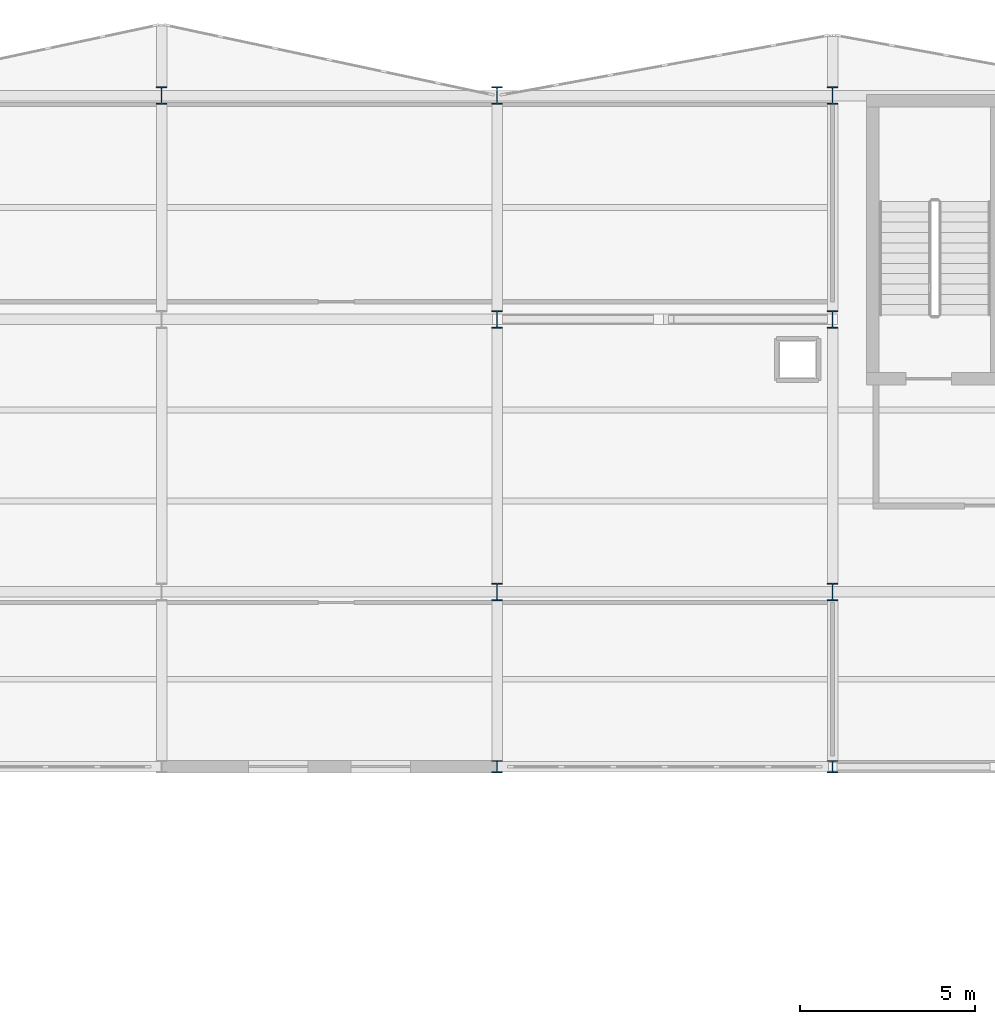
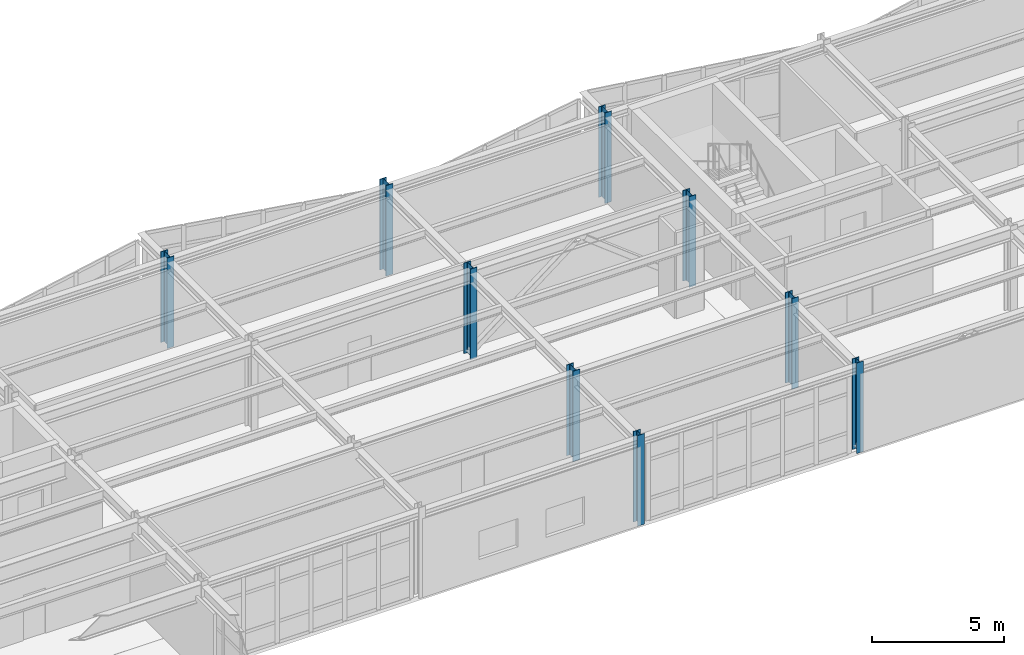
# One storey, part 7 of 64: 9 columns.
"""IFC4 building model written with IfcOpenShell, lengths in metres."""

import ifcopenshell
import ifcopenshell.guid

model = None  # the IFC model being written
_history = None  # IfcOwnerHistory: only IFC2X3 demands one
_inside = {}  # id of a spatial element -> (the spatial element, [elements in it])
_under = {}  # id of a project, library or spatial element -> (it, [spatial elements below it])
_declared = {}  # id of a project -> (the project, [libraries it declares])
_typed = {}  # id of a type object -> (the type object, [elements of that type])
_made_of = {}  # id of a material, layer set ... -> (it, [elements and type objects made of it])


def new_model(schema):
    """Start an empty IFC model of exactly this schema.

    Asked for "IFC4X3", IfcOpenShell would pick the latest addendum, in which some entities
    have other attributes; the version numbers below select the first issue.
    IFC2X3 requires an IfcOwnerHistory on every rooted entity: one is made here for all.
    """
    global model, _history
    if schema == "IFC4X3":
        model = ifcopenshell.file(schema_version=(4, 3, 0, 0))
    else:
        model = ifcopenshell.file(schema=schema)
    _inside.clear()
    _under.clear()
    _declared.clear()
    _typed.clear()
    _made_of.clear()
    _history = None
    if model.schema == "IFC2X3":
        org = make("IfcOrganization", Name="unknown")
        user = make(
            "IfcPersonAndOrganization",
            ThePerson=make("IfcPerson", FamilyName="unknown"),
            TheOrganization=org,
        )
        app = make(
            "IfcApplication",
            ApplicationDeveloper=org,
            Version="unknown",
            ApplicationFullName="unknown",
            ApplicationIdentifier="unknown",
        )
        _history = make(
            "IfcOwnerHistory",
            OwningUser=user,
            OwningApplication=app,
            ChangeAction="ADDED",
            CreationDate=0,
        )
    return model


def make(cls, **values):
    """One entity of the class cls with the attributes given. An attribute that is None is left unset."""
    return model.create_entity(
        cls, **{name: value for name, value in values.items() if value is not None}
    )


def rooted(cls, **values):
    """An entity with a GlobalId (a new one), such as an element, a storey or a relation."""
    return make(cls, GlobalId=ifcopenshell.guid.new(), OwnerHistory=_history, **values)


def si_unit(unit_type, name, prefix=None):
    """IfcSIUnit, for example si_unit("LENGTHUNIT", "METRE", prefix="MILLI")."""
    return make("IfcSIUnit", UnitType=unit_type, Prefix=prefix, Name=name)


def assignment(units):
    """IfcUnitAssignment: the units of a project."""
    return None if units is None else make("IfcUnitAssignment", Units=units)


def point(xyz):
    """IfcCartesianPoint."""
    return None if xyz is None else make("IfcCartesianPoint", Coordinates=xyz)


def direction(xyz):
    """IfcDirection."""
    return None if xyz is None else make("IfcDirection", DirectionRatios=xyz)


def frame(location, z_axis=None, x_axis=None):
    """IfcAxis2Placement3D, a coordinate frame: its origin and axes. An axis left out is left unset."""
    return make(
        "IfcAxis2Placement3D",
        Location=point(location),
        Axis=direction(z_axis),
        RefDirection=direction(x_axis),
    )


def frame_2d(location, x_axis=None):
    """IfcAxis2Placement2D, a coordinate frame in the plane: its origin and x axis."""
    return make(
        "IfcAxis2Placement2D", Location=point(location), RefDirection=direction(x_axis)
    )


def origin():
    """The frame at (0, 0, 0) with its axes left unset."""
    return frame((0.0, 0.0, 0.0))


def origin_2d():
    """The frame at (0, 0) in the plane with its x axis left unset."""
    return frame_2d((0.0, 0.0))


def place(relative_to, where):
    """IfcLocalPlacement: puts the frame where relative to a parent placement (None: the world)."""
    return make(
        "IfcLocalPlacement", PlacementRelTo=relative_to, RelativePlacement=where
    )


def context(
    kind, dimensions, precision=None, world=None, true_north=None, identifier=None
):
    """IfcGeometricRepresentationContext, for example the 3D "Model" context."""
    return make(
        "IfcGeometricRepresentationContext",
        ContextIdentifier=identifier,
        ContextType=kind,
        CoordinateSpaceDimension=dimensions,
        Precision=precision,
        WorldCoordinateSystem=world,
        TrueNorth=true_north,
    )


def subcontext(parent, identifier, kind, view, scale=None):
    """IfcGeometricRepresentationSubContext, for example "Body" below "Model"."""
    return make(
        "IfcGeometricRepresentationSubContext",
        ContextIdentifier=identifier,
        ContextType=kind,
        ParentContext=parent,
        TargetScale=scale,
        TargetView=view,
    )


def project(units=None, contexts=None):
    """IfcProject with its units and contexts."""
    return rooted(
        "IfcProject",
        Name="project",
        RepresentationContexts=contexts,
        UnitsInContext=assignment(units),
    )


def spatial(cls, under=None, at=None, **own):
    """A site, building, storey or space (cls), placed at a placement, below another one or the project."""
    s = rooted(cls, ObjectPlacement=at, **own)
    if under is not None:
        _under.setdefault(under.id(), (under, []))[1].append(s)
    return s


def profile(cls, at=None, kind="AREA", **sizes):
    """A parametric profile (cls). Its sizes go by their IFC names, for example OverallWidth=200.0."""
    return make(cls, ProfileType=kind, Position=at, **sizes)


def i_section(**sizes):
    """IfcIShapeProfileDef."""
    return profile("IfcIShapeProfileDef", **sizes)


def extrude(swept, where, along, depth):
    """IfcExtrudedAreaSolid: the profile swept, set in the frame where, extruded along a direction by depth."""
    return make(
        "IfcExtrudedAreaSolid",
        SweptArea=swept,
        Position=where,
        ExtrudedDirection=direction(along),
        Depth=depth,
    )


def shape(context_of_items, identifier, shape_type, items):
    """IfcShapeRepresentation: the items that make up one representation, for example the "Body"."""
    return make(
        "IfcShapeRepresentation",
        ContextOfItems=context_of_items,
        RepresentationIdentifier=identifier,
        RepresentationType=shape_type,
        Items=items,
    )


def material(Name=None, Category=None):
    """IfcMaterial."""
    return make("IfcMaterial", Name=Name, Category=Category)


def material_profile(
    of_material, cross_section, Name=None, Category=None, Priority=None
):
    """IfcMaterialProfile: a cross section and its material."""
    return make(
        "IfcMaterialProfile",
        Name=Name,
        Material=of_material,
        Profile=cross_section,
        Priority=Priority,
        Category=Category,
    )


def profile_set(profiles, Name=None, composite=None):
    """IfcMaterialProfileSet."""
    return make(
        "IfcMaterialProfileSet",
        Name=Name,
        MaterialProfiles=profiles,
        CompositeProfile=composite,
    )


def made_of(thing, what):
    """Note that an element or type object is made of a material, layer set ...; save() writes the relation."""
    if what is not None:
        _made_of.setdefault(what.id(), (what, []))[1].append(thing)
    return thing


def type_object(cls, material=None, **own):
    """A type object (cls), such as IfcWallType, which elements share."""
    return made_of(rooted(cls, **own), material)


def element(
    cls,
    number,
    at=None,
    inside=None,
    cuts=None,
    type_object=None,
    material=None,
    context=None,
    identifier="Body",
    shape_type=None,
    held_by="IfcProductDefinitionShape",
    body=None,
    shapes=None,
    **own,
):
    """One element of the class cls, such as IfcWall. Its Tag is "e" and its number.

    at: its placement. inside: the storey or other place that contains it. cuts: it is an
    opening in that element (IfcRelVoidsElement). A single representation is given by context,
    identifier, shape_type and body (its items); several are given by shapes. held_by: the class
    of the entity that holds the representations. save() writes the other relations.
    """
    e = rooted(cls, Tag="e%d" % number, ObjectPlacement=at, **own)
    if body is not None:
        shapes = [shape(context, identifier, shape_type, body)]
    if shapes is not None:
        e.Representation = make(held_by, Representations=shapes)
    if inside is not None:
        _inside.setdefault(inside.id(), (inside, []))[1].append(e)
    if cuts is not None:
        rooted(
            "IfcRelVoidsElement", RelatingBuildingElement=cuts, RelatedOpeningElement=e
        )
    if type_object is not None:
        _typed.setdefault(type_object.id(), (type_object, []))[1].append(e)
    return made_of(e, material)


def aggregate(whole, parts):
    """IfcRelAggregates: a whole, such as a stair, and the parts it consists of."""
    return rooted("IfcRelAggregates", RelatingObject=whole, RelatedObjects=parts)


def save(model, path):
    """Write the relations noted so far, then the file.

    IfcRelAggregates (storeys below a building ...), IfcRelContainedInSpatialStructure (elements
    in a storey), IfcRelDefinesByType, IfcRelAssociatesMaterial and IfcRelDeclares: one each for
    every whole, place, type object, material and project.
    """
    for whole, parts in _under.values():
        aggregate(whole, parts)
    for where, things in _inside.values():
        rooted(
            "IfcRelContainedInSpatialStructure",
            RelatedElements=things,
            RelatingStructure=where,
        )
    for kind, things in _typed.values():
        rooted("IfcRelDefinesByType", RelatedObjects=things, RelatingType=kind)
    for what, things in _made_of.values():
        rooted("IfcRelAssociatesMaterial", RelatedObjects=things, RelatingMaterial=what)
    for by, libraries in _declared.values():
        rooted("IfcRelDeclares", RelatingContext=by, RelatedDefinitions=libraries)
    model.write(path)


model = new_model("IFC4")

# Units and contexts
model_context = context("Model", 3, precision=1e-05, world=origin(), true_north=direction((0.0, 1.0)))
body_context = subcontext(model_context, "Body", "Model", "MODEL_VIEW")
ifc_project = project(units=[si_unit("LENGTHUNIT", "METRE"), si_unit("AREAUNIT", "SQUARE_METRE"), si_unit("VOLUMEUNIT", "CUBIC_METRE"), si_unit("PLANEANGLEUNIT", "RADIAN"), si_unit("MASSUNIT", "GRAM", prefix="KILO")], contexts=[model_context])

# Site, building, storey
site_placement = place(None, origin())
site = spatial("IfcSite", under=ifc_project, at=site_placement, CompositionType="ELEMENT")
building_placement = place(site_placement, origin())
building = spatial("IfcBuilding", under=site, at=building_placement, Name="Nordkorset Police Headquarters", CompositionType="ELEMENT")
storey_placement = place(building_placement, frame((0.0, 0.0, 17.85009765625)))
storey = spatial("IfcBuildingStorey", under=building, at=storey_placement, Name="L04", CompositionType="ELEMENT", Elevation=17.85009765625)

# Columns
ifc_material_1 = material(Name="Steel S355J2", Category="steel")
ifc_material_profile_1 = material_profile(ifc_material_1, i_section(OverallWidth=0.300048828125, OverallDepth=0.340087890625, WebThickness=0.011962890625, FlangeThickness=0.021484375, FilletRadius=0.027099609375, at=origin_2d()), Name="HEB 340")
ifc_profile_set_1 = profile_set([ifc_material_profile_1], Name="Steel S355J2")
column_type_1 = type_object("IfcColumnType", Name="Col_HEB_340", PredefinedType="COLUMN", material=ifc_profile_set_1)
for number, where, z_axis, x_axis, name in (
    (1, (48.0, 97.60009765625, 0.0), (0.0, 0.0, 1.0), (1.0, 0.0, 0.0), "Structural Column V2_Y0_1 L04"),
    (2, (57.60009765625, 97.60009765625, 0.0), (0.0, 0.0, 1.0), (1.0, 0.0, 0.0), "Structural Column V2_Y0_2 L04"),
):
    element("IfcColumn", number, at=place(storey_placement, frame(where, z_axis=z_axis, x_axis=x_axis)), inside=storey, type_object=column_type_1, Name=name, PredefinedType="COLUMN", context=body_context, shape_type="SweptSolid", body=[
        extrude(i_section(OverallWidth=0.300048828125, OverallDepth=0.340087890625, WebThickness=0.011962890625, FlangeThickness=0.021484375, FilletRadius=0.027099609375, at=origin_2d()), origin(), (0.0, 0.0, 1.0), 4.199951171875),
    ])
ifc_material_2 = material(Name="Steel S355J2", Category="steel")
ifc_material_profile_2 = material_profile(ifc_material_2, i_section(OverallWidth=0.300048828125, OverallDepth=0.5, WebThickness=0.014404296875, FlangeThickness=0.028076171875, FilletRadius=0.027099609375, at=origin_2d()), Name="HEB 500")
ifc_profile_set_2 = profile_set([ifc_material_profile_2], Name="Steel S355J2")
column_type_2 = type_object("IfcColumnType", Name="Col_HEB_500", PredefinedType="COLUMN", material=ifc_profile_set_2)
for number, where, z_axis, x_axis, name in (
    (3, (38.39990234375, 116.800048828125, 0.0), (0.0, 0.0, 1.0), (1.0, 0.0, 0.0), "Structural Column V2_Y3_0 L04"),
    (4, (48.0, 102.60009765625, 0.0), (0.0, 0.0, 1.0), (1.0, 0.0, 0.0), "Structural Column V2_Y1_1 L04"),
    (5, (48.0, 110.39990234375, 0.0), (0.0, 0.0, 1.0), (1.0, 0.0, 0.0), "Structural Column V2_Y2_1 L04"),
    (6, (48.0, 116.800048828125, 0.0), (0.0, 0.0, 1.0), (1.0, 0.0, 0.0), "Structural Column V2_Y3_1 L04"),
    (7, (57.60009765625, 102.60009765625, 0.0), (0.0, 0.0, 1.0), (1.0, 0.0, 0.0), "Structural Column V2_Y1_2 L04"),
    (8, (57.60009765625, 110.39990234375, 0.0), (0.0, 0.0, 1.0), (1.0, 0.0, 0.0), "Structural Column V2_Y2_2 L04"),
    (9, (57.60009765625, 116.800048828125, 0.0), (0.0, 0.0, 1.0), (1.0, 0.0, 0.0), "Structural Column V2_Y3_2 L04"),
):
    element("IfcColumn", number, at=place(storey_placement, frame(where, z_axis=z_axis, x_axis=x_axis)), inside=storey, type_object=column_type_2, Name=name, PredefinedType="COLUMN", context=body_context, shape_type="SweptSolid", body=[
        extrude(i_section(OverallWidth=0.300048828125, OverallDepth=0.5, WebThickness=0.014404296875, FlangeThickness=0.028076171875, FilletRadius=0.027099609375, at=origin_2d()), origin(), (0.0, 0.0, 1.0), 4.199951171875),
    ])

save(model, "model.ifc")
